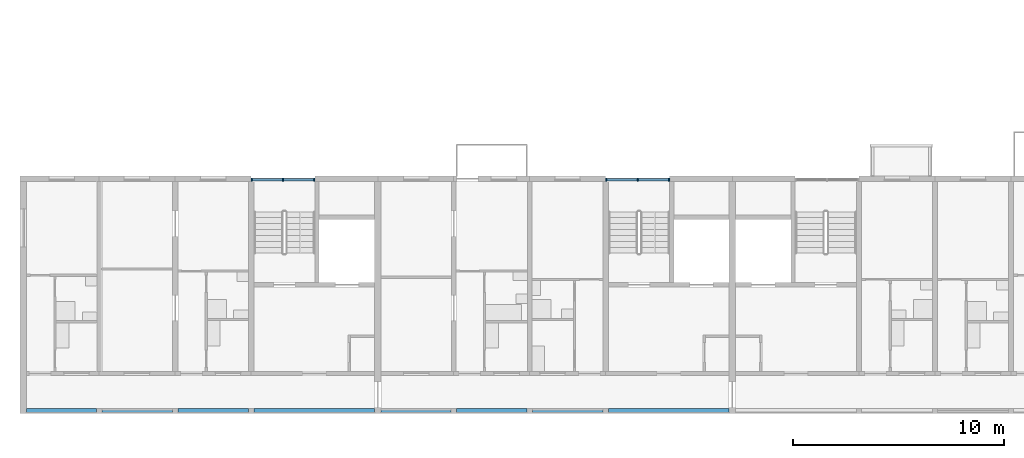
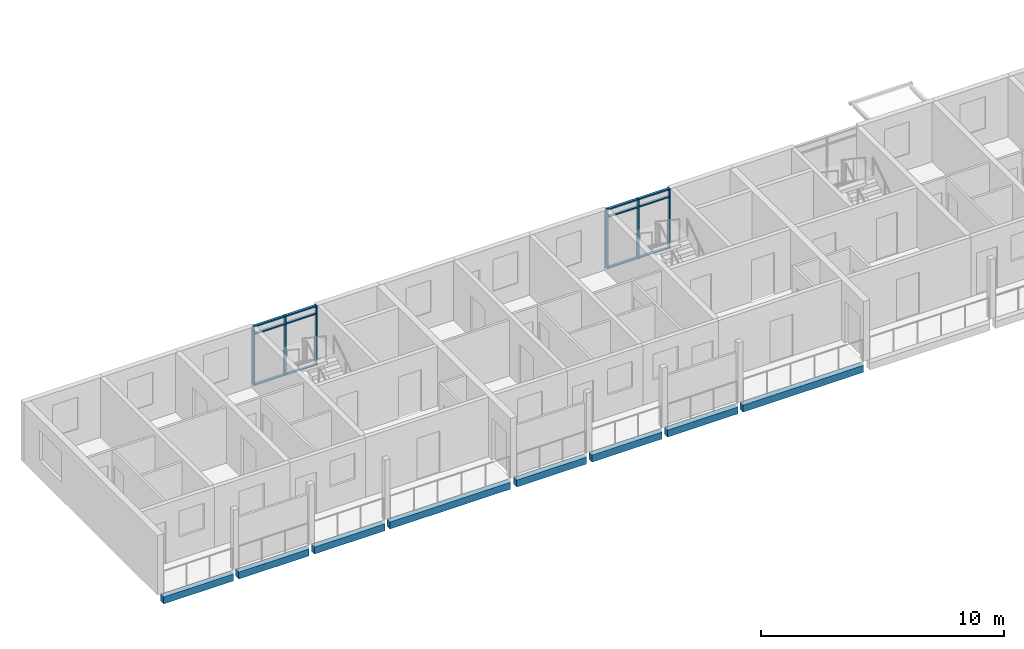
# One storey, part 5 of 99: 18 members, 8 beams, 2 elements without a shape of their own.
"""IFC4 building model written with IfcOpenShell, lengths in metres."""

from ifc_helpers import new_model, si_unit, direction, frame, origin, origin_2d, place, context, subcontext, project, spatial, rectangle, extrude, material, material_profile, profile_set, type_object, element, aggregate, save


model = new_model("IFC4")

# Units and contexts
model_context = context("Model", 3, precision=1e-05, world=origin(), true_north=direction((0.0, 1.0)))
body_context = subcontext(model_context, "Body", "Model", "MODEL_VIEW")
ifc_project = project(units=[si_unit("LENGTHUNIT", "METRE"), si_unit("AREAUNIT", "SQUARE_METRE"), si_unit("VOLUMEUNIT", "CUBIC_METRE"), si_unit("PLANEANGLEUNIT", "RADIAN"), si_unit("MASSUNIT", "GRAM", prefix="KILO")], contexts=[model_context])

# Site, building, storey
site_placement = place(None, origin())
site = spatial("IfcSite", under=ifc_project, at=site_placement, CompositionType="ELEMENT")
building_placement = place(site_placement, origin())
building = spatial("IfcBuilding", under=site, at=building_placement, Name="Ridgestep Commons", CompositionType="ELEMENT")
storey_placement = place(building_placement, frame((0.0, 0.0, 15.0)))
storey = spatial("IfcBuildingStorey", under=building, at=storey_placement, Name="L05", CompositionType="ELEMENT", Elevation=15.0)

# Beams
ifc_material_1 = material(Name="Precast concrete C40/50", Category="concrete")
ifc_material_profile_1 = material_profile(ifc_material_1, rectangle(XDim=0.25, YDim=0.35009765625, at=origin_2d()), Name="PC 250x350")
ifc_profile_set_1 = profile_set([ifc_material_profile_1], Name="Precast concrete C40/50")
beam_type = type_object("IfcBeamType", Name="Loggia edge beam 250 x 350", PredefinedType="SPANDREL", material=ifc_profile_set_1)
beam_1_placement = place(storey_placement, frame((12.14990234375, 11.875, -0.375), z_axis=(1.0, 0.0, 0.0), x_axis=(0.0, 1.0, 0.0)))
element("IfcBeam", 1, at=beam_1_placement, inside=storey, type_object=beam_type, Name="Loggia edge beam A1T1 L05", PredefinedType="SPANDREL", context=body_context, shape_type="SweptSolid", body=[
    extrude(rectangle(XDim=0.25, YDim=0.35009765625, at=origin_2d()), origin(), (0.0, 0.0, 1.0), 3.3251953125),
])
beam_2_placement = place(storey_placement, frame((15.72509765625, 11.875, -0.375), z_axis=(1.0, 0.0, 0.0), x_axis=(0.0, 1.0, 0.0)))
element("IfcBeam", 2, at=beam_2_placement, inside=storey, type_object=beam_type, Name="Loggia edge beam A1T2 L05", PredefinedType="SPANDREL", context=body_context, shape_type="SweptSolid", body=[
    extrude(rectangle(XDim=0.25, YDim=0.35009765625, at=origin_2d()), origin(), (0.0, 0.0, 1.0), 3.349853515625),
])
beam_3_placement = place(storey_placement, frame((19.324951171875, 11.875, -0.375), z_axis=(1.0, 0.0, 0.0), x_axis=(0.0, 1.0, 0.0)))
element("IfcBeam", 3, at=beam_3_placement, inside=storey, type_object=beam_type, Name="Loggia edge beam A1T3 L05", PredefinedType="SPANDREL", context=body_context, shape_type="SweptSolid", body=[
    extrude(rectangle(XDim=0.25, YDim=0.35009765625, at=origin_2d()), origin(), (0.0, 0.0, 1.0), 3.35009765625),
])
beam_4_placement = place(storey_placement, frame((22.925048828125, 11.875, -0.375), z_axis=(1.0, 0.0, 0.0), x_axis=(0.0, 1.0, 0.0)))
element("IfcBeam", 4, at=beam_4_placement, inside=storey, type_object=beam_type, Name="Loggia edge beam A1C L05", PredefinedType="SPANDREL", context=body_context, shape_type="SweptSolid", body=[
    extrude(rectangle(XDim=0.25, YDim=0.35009765625, at=origin_2d()), origin(), (0.0, 0.0, 1.0), 5.724853515625),
])
beam_5_placement = place(storey_placement, frame((28.949951171875, 11.875, -0.375), z_axis=(1.0, 0.0, 0.0), x_axis=(0.0, 1.0, 0.0)))
element("IfcBeam", 5, at=beam_5_placement, inside=storey, type_object=beam_type, Name="Loggia edge beam A2T1 L05", PredefinedType="SPANDREL", context=body_context, shape_type="SweptSolid", body=[
    extrude(rectangle(XDim=0.25, YDim=0.35009765625, at=origin_2d()), origin(), (0.0, 0.0, 1.0), 3.324951171875),
])
for number, where, z_axis, x_axis, name in (
    (6, (32.52490234375, 11.875, -0.375), (1.0, 0.0, 0.0), (0.0, 1.0, 0.0), "Loggia edge beam A2T2 L05"),
    (7, (36.125, 11.875, -0.375), (1.0, 0.0, 0.0), (0.0, 1.0, 0.0), "Loggia edge beam A2T3 L05"),
):
    element("IfcBeam", number, at=place(storey_placement, frame(where, z_axis=z_axis, x_axis=x_axis)), inside=storey, type_object=beam_type, Name=name, PredefinedType="SPANDREL", context=body_context, shape_type="SweptSolid", body=[
        extrude(rectangle(XDim=0.25, YDim=0.35009765625, at=origin_2d()), origin(), (0.0, 0.0, 1.0), 3.35009765625),
    ])
beam_6_placement = place(storey_placement, frame((39.72509765625, 11.875, -0.375), z_axis=(1.0, 0.0, 0.0), x_axis=(0.0, 1.0, 0.0)))
element("IfcBeam", 8, at=beam_6_placement, inside=storey, type_object=beam_type, Name="Loggia edge beam A2C L05", PredefinedType="SPANDREL", context=body_context, shape_type="SweptSolid", body=[
    extrude(rectangle(XDim=0.25, YDim=0.35009765625, at=origin_2d()), origin(), (0.0, 0.0, 1.0), 5.724853515625),
])

# Curtain wall, members
ifc_material_2 = material(Name="Aluminium 6063-T6 and glass", Category="aluminium")
curtain_wall_type = type_object("IfcCurtainWallType", Name="Curtain wall stair strip", PredefinedType="NOTDEFINED", material=ifc_material_2)
curtain_wall_1_placement = place(storey_placement, origin())
curtain_wall_1 = element("IfcCurtainWall", 9, at=curtain_wall_1_placement, inside=storey, type_object=curtain_wall_type, Name="Curtain wall A1C level 05", PredefinedType="NOTDEFINED")
ifc_material_3 = material(Name="Aluminium 6063-T6", Category="aluminium")
ifc_material_profile_2 = material_profile(ifc_material_3, rectangle(XDim=0.159912109375, YDim=0.06005859375, at=origin_2d()), Name="Mullion 60 x 160")
ifc_profile_set_2 = profile_set([ifc_material_profile_2], Name="Aluminium 6063-T6")
member_type_1 = type_object("IfcMemberType", Name="Mullion 60 x 160", PredefinedType="MULLION", material=ifc_profile_set_2)
member_1_placement = place(storey_placement, frame((22.830078125, 22.830078125, 0.0), z_axis=(0.0, 0.0, 1.0), x_axis=(0.0, 1.0, 0.0)))
member_1 = element("IfcMember", 10, at=member_1_placement, type_object=member_type_1, Name="CW1 mullion 1", PredefinedType="MULLION", context=body_context, shape_type="SweptSolid", body=[
    extrude(rectangle(XDim=0.159912109375, YDim=0.06005859375, at=origin_2d()), origin(), (0.0, 0.0, 1.0), 3.0),
])
member_2_placement = place(storey_placement, frame((24.3125, 22.830078125, 0.0), z_axis=(0.0, 0.0, 1.0), x_axis=(0.0, 1.0, 0.0)))
member_2 = element("IfcMember", 11, at=member_2_placement, type_object=member_type_1, Name="CW1 mullion 2", PredefinedType="MULLION", context=body_context, shape_type="SweptSolid", body=[
    extrude(rectangle(XDim=0.159912109375, YDim=0.06005859375, at=origin_2d()), origin(), (0.0, 0.0, 1.0), 3.0),
])
member_3_placement = place(storey_placement, frame((25.794921875, 22.830078125, 0.0), z_axis=(0.0, 0.0, 1.0), x_axis=(0.0, 1.0, 0.0)))
member_3 = element("IfcMember", 12, at=member_3_placement, type_object=member_type_1, Name="CW1 mullion 3", PredefinedType="MULLION", context=body_context, shape_type="SweptSolid", body=[
    extrude(rectangle(XDim=0.159912109375, YDim=0.06005859375, at=origin_2d()), origin(), (0.0, 0.0, 1.0), 3.0),
])

curtain_wall_2_placement = place(storey_placement, origin())
curtain_wall_2 = element("IfcCurtainWall", 13, at=curtain_wall_2_placement, inside=storey, type_object=curtain_wall_type, Name="Curtain wall A2C level 05", PredefinedType="NOTDEFINED")
member_4_placement = place(storey_placement, frame((39.6298828125, 22.830078125, 0.0), z_axis=(0.0, 0.0, 1.0), x_axis=(0.0, 1.0, 0.0)))
member_4 = element("IfcMember", 14, at=member_4_placement, type_object=member_type_1, Name="CW1 mullion 1", PredefinedType="MULLION", context=body_context, shape_type="SweptSolid", body=[
    extrude(rectangle(XDim=0.159912109375, YDim=0.06005859375, at=origin_2d()), origin(), (0.0, 0.0, 1.0), 3.0),
])
member_5_placement = place(storey_placement, frame((41.112548828125, 22.830078125, 0.0), z_axis=(0.0, 0.0, 1.0), x_axis=(0.0, 1.0, 0.0)))
member_5 = element("IfcMember", 15, at=member_5_placement, type_object=member_type_1, Name="CW1 mullion 2", PredefinedType="MULLION", context=body_context, shape_type="SweptSolid", body=[
    extrude(rectangle(XDim=0.159912109375, YDim=0.06005859375, at=origin_2d()), origin(), (0.0, 0.0, 1.0), 3.0),
])
member_6_placement = place(storey_placement, frame((42.594970703125, 22.830078125, 0.0), z_axis=(0.0, 0.0, 1.0), x_axis=(0.0, 1.0, 0.0)))
member_6 = element("IfcMember", 16, at=member_6_placement, type_object=member_type_1, Name="CW1 mullion 3", PredefinedType="MULLION", context=body_context, shape_type="SweptSolid", body=[
    extrude(rectangle(XDim=0.159912109375, YDim=0.06005859375, at=origin_2d()), origin(), (0.0, 0.0, 1.0), 3.0),
])

# Member
ifc_material_4 = material(Name="Aluminium 6063-T6", Category="aluminium")
ifc_material_profile_3 = material_profile(ifc_material_4, rectangle(XDim=0.1201171875, YDim=0.06005859375, at=origin_2d()), Name="Transom 60 x 120")
ifc_profile_set_3 = profile_set([ifc_material_profile_3], Name="Aluminium 6063-T6")
member_type_2 = type_object("IfcMemberType", Name="Transom 60 x 120", PredefinedType="USERDEFINED", material=ifc_profile_set_3)
member_7_placement = place(storey_placement, frame((22.860107421875, 22.830078125, 0.030029296875), z_axis=(1.0, 0.0, 0.0), x_axis=(0.0, 1.0, 0.0)))
member_7 = element("IfcMember", 17, at=member_7_placement, type_object=member_type_2, Name="CW1 transom 1.1", ObjectType="TRANSOM", PredefinedType="USERDEFINED", context=body_context, shape_type="SweptSolid", body=[
    extrude(rectangle(XDim=0.1201171875, YDim=0.06005859375, at=origin_2d()), origin(), (0.0, 0.0, 1.0), 1.42236328125),
])

member_8_placement = place(storey_placement, frame((22.860107421875, 22.830078125, 2.590087890625), z_axis=(1.0, 0.0, 0.0), x_axis=(0.0, 1.0, 0.0)))
member_8 = element("IfcMember", 18, at=member_8_placement, type_object=member_type_2, Name="CW1 transom 1.2", ObjectType="TRANSOM", PredefinedType="USERDEFINED", context=body_context, shape_type="SweptSolid", body=[
    extrude(rectangle(XDim=0.1201171875, YDim=0.06005859375, at=origin_2d()), origin(), (0.0, 0.0, 1.0), 1.42236328125),
])

member_9_placement = place(storey_placement, frame((22.860107421875, 22.830078125, 2.969970703125), z_axis=(1.0, 0.0, 0.0), x_axis=(0.0, 1.0, 0.0)))
member_9 = element("IfcMember", 19, at=member_9_placement, type_object=member_type_2, Name="CW1 transom 1.3", ObjectType="TRANSOM", PredefinedType="USERDEFINED", context=body_context, shape_type="SweptSolid", body=[
    extrude(rectangle(XDim=0.1201171875, YDim=0.06005859375, at=origin_2d()), origin(), (0.0, 0.0, 1.0), 1.42236328125),
])

member_10_placement = place(storey_placement, frame((24.342529296875, 22.830078125, 0.030029296875), z_axis=(1.0, 0.0, 0.0), x_axis=(0.0, 1.0, 0.0)))
member_10 = element("IfcMember", 20, at=member_10_placement, type_object=member_type_2, Name="CW1 transom 2.1", ObjectType="TRANSOM", PredefinedType="USERDEFINED", context=body_context, shape_type="SweptSolid", body=[
    extrude(rectangle(XDim=0.1201171875, YDim=0.06005859375, at=origin_2d()), origin(), (0.0, 0.0, 1.0), 1.42236328125),
])

member_11_placement = place(storey_placement, frame((24.342529296875, 22.830078125, 2.590087890625), z_axis=(1.0, 0.0, 0.0), x_axis=(0.0, 1.0, 0.0)))
member_11 = element("IfcMember", 21, at=member_11_placement, type_object=member_type_2, Name="CW1 transom 2.2", ObjectType="TRANSOM", PredefinedType="USERDEFINED", context=body_context, shape_type="SweptSolid", body=[
    extrude(rectangle(XDim=0.1201171875, YDim=0.06005859375, at=origin_2d()), origin(), (0.0, 0.0, 1.0), 1.42236328125),
])

member_12_placement = place(storey_placement, frame((24.342529296875, 22.830078125, 2.969970703125), z_axis=(1.0, 0.0, 0.0), x_axis=(0.0, 1.0, 0.0)))
member_12 = element("IfcMember", 22, at=member_12_placement, type_object=member_type_2, Name="CW1 transom 2.3", ObjectType="TRANSOM", PredefinedType="USERDEFINED", context=body_context, shape_type="SweptSolid", body=[
    extrude(rectangle(XDim=0.1201171875, YDim=0.06005859375, at=origin_2d()), origin(), (0.0, 0.0, 1.0), 1.42236328125),
])

aggregate(curtain_wall_1, [member_1, member_2, member_3, member_7, member_8, member_9, member_10, member_11, member_12])

member_13_placement = place(storey_placement, frame((39.659912109375, 22.830078125, 0.030029296875), z_axis=(1.0, 0.0, 0.0), x_axis=(0.0, 1.0, 0.0)))
member_13 = element("IfcMember", 23, at=member_13_placement, type_object=member_type_2, Name="CW1 transom 1.1", ObjectType="TRANSOM", PredefinedType="USERDEFINED", context=body_context, shape_type="SweptSolid", body=[
    extrude(rectangle(XDim=0.1201171875, YDim=0.06005859375, at=origin_2d()), origin(), (0.0, 0.0, 1.0), 1.422607421875),
])

member_14_placement = place(storey_placement, frame((39.659912109375, 22.830078125, 2.590087890625), z_axis=(1.0, 0.0, 0.0), x_axis=(0.0, 1.0, 0.0)))
member_14 = element("IfcMember", 24, at=member_14_placement, type_object=member_type_2, Name="CW1 transom 1.2", ObjectType="TRANSOM", PredefinedType="USERDEFINED", context=body_context, shape_type="SweptSolid", body=[
    extrude(rectangle(XDim=0.1201171875, YDim=0.06005859375, at=origin_2d()), origin(), (0.0, 0.0, 1.0), 1.422607421875),
])

member_15_placement = place(storey_placement, frame((39.659912109375, 22.830078125, 2.969970703125), z_axis=(1.0, 0.0, 0.0), x_axis=(0.0, 1.0, 0.0)))
member_15 = element("IfcMember", 25, at=member_15_placement, type_object=member_type_2, Name="CW1 transom 1.3", ObjectType="TRANSOM", PredefinedType="USERDEFINED", context=body_context, shape_type="SweptSolid", body=[
    extrude(rectangle(XDim=0.1201171875, YDim=0.06005859375, at=origin_2d()), origin(), (0.0, 0.0, 1.0), 1.422607421875),
])

member_16_placement = place(storey_placement, frame((41.142578125, 22.830078125, 0.030029296875), z_axis=(1.0, 0.0, 0.0), x_axis=(0.0, 1.0, 0.0)))
member_16 = element("IfcMember", 26, at=member_16_placement, type_object=member_type_2, Name="CW1 transom 2.1", ObjectType="TRANSOM", PredefinedType="USERDEFINED", context=body_context, shape_type="SweptSolid", body=[
    extrude(rectangle(XDim=0.1201171875, YDim=0.06005859375, at=origin_2d()), origin(), (0.0, 0.0, 1.0), 1.42236328125),
])

member_17_placement = place(storey_placement, frame((41.142578125, 22.830078125, 2.590087890625), z_axis=(1.0, 0.0, 0.0), x_axis=(0.0, 1.0, 0.0)))
member_17 = element("IfcMember", 27, at=member_17_placement, type_object=member_type_2, Name="CW1 transom 2.2", ObjectType="TRANSOM", PredefinedType="USERDEFINED", context=body_context, shape_type="SweptSolid", body=[
    extrude(rectangle(XDim=0.1201171875, YDim=0.06005859375, at=origin_2d()), origin(), (0.0, 0.0, 1.0), 1.42236328125),
])

member_18_placement = place(storey_placement, frame((41.142578125, 22.830078125, 2.969970703125), z_axis=(1.0, 0.0, 0.0), x_axis=(0.0, 1.0, 0.0)))
member_18 = element("IfcMember", 28, at=member_18_placement, type_object=member_type_2, Name="CW1 transom 2.3", ObjectType="TRANSOM", PredefinedType="USERDEFINED", context=body_context, shape_type="SweptSolid", body=[
    extrude(rectangle(XDim=0.1201171875, YDim=0.06005859375, at=origin_2d()), origin(), (0.0, 0.0, 1.0), 1.42236328125),
])

aggregate(curtain_wall_2, [member_4, member_5, member_6, member_13, member_14, member_15, member_16, member_17, member_18])

save(model, "model.ifc")
